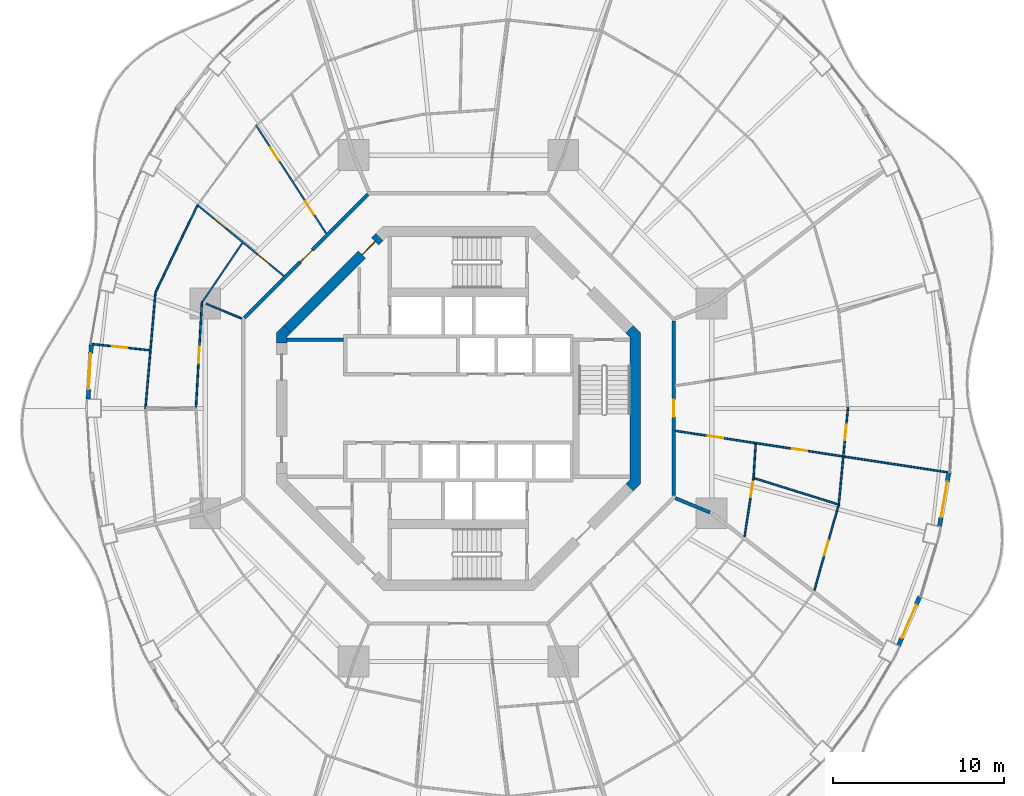
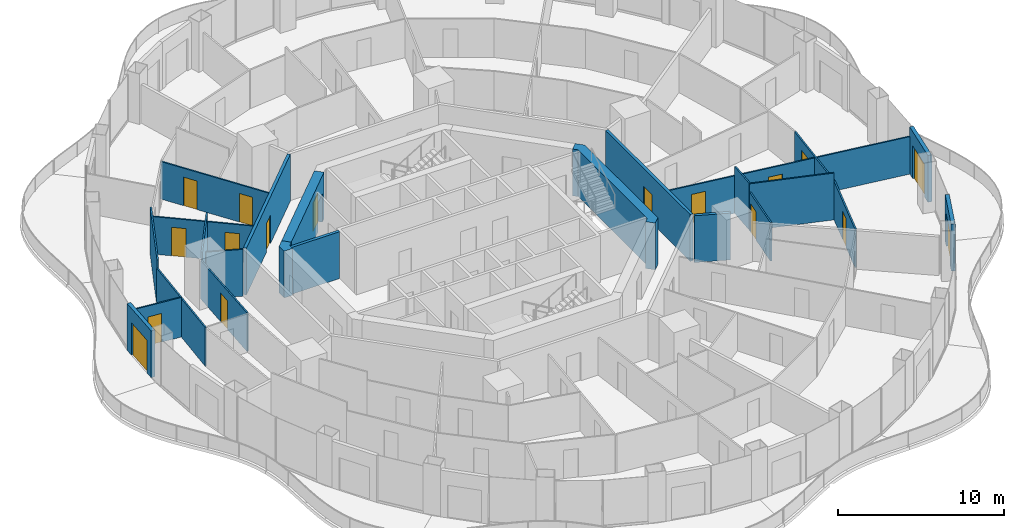
# One storey, part 13 of 19: 24 walls, 17 doors, 17 openings.
"""IFC4 building model written with IfcOpenShell, lengths in metres."""

from ifc_helpers import new_model, si_unit, direction, frame, frame_2d, origin, place, context, subcontext, project, spatial, polyline, rectangle, outline, extrude, material, layer, layer_set, type_object, element, fill, save


model = new_model("IFC4")

# Units and contexts
model_context = context("Model", 3, precision=1e-05, world=origin(), true_north=direction((0.0, 1.0)))
body_context = subcontext(model_context, "Body", "Model", "MODEL_VIEW")
ifc_project = project(units=[si_unit("LENGTHUNIT", "METRE"), si_unit("AREAUNIT", "SQUARE_METRE"), si_unit("VOLUMEUNIT", "CUBIC_METRE"), si_unit("PLANEANGLEUNIT", "RADIAN"), si_unit("MASSUNIT", "GRAM", prefix="KILO")], contexts=[model_context])

# Site, building, storey
site_placement = place(None, origin())
site = spatial("IfcSite", under=ifc_project, at=site_placement, CompositionType="ELEMENT")
building_placement = place(site_placement, origin())
building = spatial("IfcBuilding", under=site, at=building_placement, Name="Nagisa Residences", CompositionType="ELEMENT")
storey_placement = place(building_placement, frame((0.0, 0.0, 195.5)))
storey = spatial("IfcBuildingStorey", under=building, at=storey_placement, Name="L49", CompositionType="ELEMENT", Elevation=195.5)

# Wall
ifc_material_1 = material(Name="Gypsum board on steel studs", Category="steel")
ifc_layer_1 = layer(ifc_material_1, 0.199951171875)
ifc_layer_set_1 = layer_set([ifc_layer_1], Name="Apartment compartment wall EI60 200")
wall_type_1 = type_object("IfcWallType", Name="Apartment compartment wall EI60 200", PredefinedType="PARTITIONING", material=ifc_layer_set_1)
wall_1_placement = place(storey_placement, frame((12.6572265625, -5.24267578125, 0.0), z_axis=(0.0, 0.0, 1.0), x_axis=(0.92383017907, -0.382802560388, 0.0)))
element("IfcWall", 1, at=wall_1_placement, inside=storey, type_object=wall_type_1, Name="wall:L49:u08", PredefinedType="PARTITIONING", context=body_context, shape_type="SweptSolid", body=[
    extrude(rectangle(XDim=2.2001953125, YDim=0.199951171875, at=frame_2d((1.10009765625, 0.0))), origin(), (0.0, 0.0, 1.0), 3.43994140625),
])

# Wall, opening, door
ifc_material_2 = material(Name="Gypsum board on steel studs", Category="steel")
ifc_layer_2 = layer(ifc_material_2, 0.199951171875)
ifc_layer_set_2 = layer_set([ifc_layer_2], Name="Apartment entry wall EI60 200")
wall_type_2 = type_object("IfcWallType", Name="Apartment entry wall EI60 200", PredefinedType="PARTITIONING", material=ifc_layer_set_2)
wall_2_placement = place(storey_placement, frame((12.564697265625, -5.1044921875, 0.0), z_axis=(0.0, 0.0, 1.0), x_axis=(0.0, 1.0, 0.0)))
wall_2 = element("IfcWall", 2, at=wall_2_placement, inside=storey, type_object=wall_type_2, Name="wall:L49:u10", PredefinedType="PARTITIONING", context=body_context, shape_type="SweptSolid", body=[
    extrude(rectangle(XDim=10.208984375, YDim=0.199951171875, at=frame_2d((5.1044921875, 0.0))), origin(), (0.0, 0.0, 1.0), 3.43994140625),
])
opening_1_placement = place(wall_2_placement, frame((4.6044921875, 0.0, 0.0)))
opening_1 = element("IfcOpeningElement", 3, at=opening_1_placement, cuts=wall_2, Name="Opening L49-U22", PredefinedType="OPENING", context=body_context, shape_type="SweptSolid", body=[
    extrude(rectangle(XDim=1.0, YDim=2.10009765625, at=frame_2d((0.5, 1.050048828125))), frame((0.0, 0.10986328125, 0.0), z_axis=(0.0, -1.0, 0.0), x_axis=(1.0, 0.0, 0.0)), (0.0, 0.0, 1.0), 0.219970703125),
])
ifc_material_3 = material(Name="Timber fire door set", Category="wood")
door_type_1 = type_object("IfcDoorType", Name="Apartment entry door FD30S 1000x2100", OperationType="NOTDEFINED", PredefinedType="DOOR", material=ifc_material_3)
door_1_placement = place(opening_1_placement, frame((1.0, 0.0, 0.0), x_axis=(-1.0, 0.0, 0.0)))
door_1 = element("IfcDoor", 4, at=door_1_placement, inside=storey, type_object=door_type_1, Name="Entry door, Apartment 49C", OperationType="SINGLE_SWING_LEFT", OverallHeight=2.10009765625, OverallWidth=1.0, PredefinedType="DOOR", context=body_context, shape_type="SweptSolid", body=[
    extrude(rectangle(XDim=1.0, YDim=2.10009765625, at=frame_2d((0.5, 1.050048828125))), frame((0.0, 0.02490234375, 0.0), z_axis=(0.0, -1.0, 0.0), x_axis=(1.0, 0.0, 0.0)), (0.0, 0.0, 1.0), 0.050048828125),
])
fill(opening_1, door_1)

wall_3_placement = place(storey_placement, frame((-5.275146484375, 12.494140625, 0.0), z_axis=(0.0, 0.0, 1.0), x_axis=(-0.707106781187, -0.707106781187, 0.0)))
wall_3 = element("IfcWall", 5, at=wall_3_placement, inside=storey, type_object=wall_type_2, Name="wall:L49:u13", PredefinedType="PARTITIONING", context=body_context, shape_type="SweptSolid", body=[
    extrude(rectangle(XDim=10.209228515625, YDim=0.199951171875, at=frame_2d((5.1044921875, 0.0))), origin(), (0.0, 0.0, 1.0), 3.43994140625),
])
opening_2_placement = place(wall_3_placement, frame((4.6044921875, 0.0, 0.0)))
opening_2 = element("IfcOpeningElement", 6, at=opening_2_placement, cuts=wall_3, Name="Opening L49-U43", PredefinedType="OPENING", context=body_context, shape_type="SweptSolid", body=[
    extrude(rectangle(XDim=1.0, YDim=2.10009765625, at=frame_2d((0.5, 1.050048828125))), frame((0.0, 0.10986328125, 0.0), z_axis=(0.0, -1.0, 0.0), x_axis=(1.0, 0.0, 0.0)), (0.0, 0.0, 1.0), 0.219970703125),
])
door_2_placement = place(opening_2_placement, frame((1.0, 0.0, 0.0), x_axis=(-1.0, 0.0, 0.0)))
door_2 = element("IfcDoor", 7, at=door_2_placement, inside=storey, type_object=door_type_1, Name="Entry door, Apartment 49E", OperationType="SINGLE_SWING_RIGHT", OverallHeight=2.10009765625, OverallWidth=1.0, PredefinedType="DOOR", context=body_context, shape_type="SweptSolid", body=[
    extrude(rectangle(XDim=1.0, YDim=2.10009765625, at=frame_2d((0.5, 1.050048828125))), frame((0.0, 0.02490234375, 0.0), z_axis=(0.0, -1.0, 0.0), x_axis=(1.0, 0.0, 0.0)), (0.0, 0.0, 1.0), 0.050048828125),
])
fill(opening_2, door_2)

ifc_material_4 = material(Name="Gypsum board on steel studs", Category="steel")
ifc_layer_3 = layer(ifc_material_4, 0.10009765625)
ifc_layer_set_3 = layer_set([ifc_layer_3], Name="Apartment partition 100")
wall_type_3 = type_object("IfcWallType", Name="Apartment partition 100", PredefinedType="PARTITIONING", material=ifc_layer_set_3)
wall_4_placement = place(storey_placement, frame((22.743896484375, 0.0498046875, 0.0), z_axis=(0.0, 0.0, 1.0), x_axis=(-0.094931362305, -0.995483820286, 0.0)))
wall_4 = element("IfcWall", 8, at=wall_4_placement, inside=storey, type_object=wall_type_3, Name="wall:L49:u19", PredefinedType="PARTITIONING", context=body_context, shape_type="SweptSolid", body=[
    extrude(rectangle(XDim=5.747802734375, YDim=0.10009765625, at=frame_2d((2.8740234375, 0.0))), origin(), (0.0, 0.0, 1.0), 2.8369140625),
])
opening_3_placement = place(wall_4_placement, frame((1.011962890625, 0.0, 0.0)))
opening_3 = element("IfcOpeningElement", 9, at=opening_3_placement, cuts=wall_4, Name="Opening L49-U29", PredefinedType="OPENING", context=body_context, shape_type="SweptSolid", body=[
    extrude(rectangle(XDim=0.89990234375, YDim=2.10009765625, at=frame_2d((0.449951171875, 1.050048828125))), frame((0.0, 0.06005859375, 0.0), z_axis=(0.0, -1.0, 0.0), x_axis=(1.0, 0.0, 0.0)), (0.0, 0.0, 1.0), 0.1201171875),
])
ifc_material_5 = material(Name="Timber door set", Category="wood")
door_type_2 = type_object("IfcDoorType", Name="Apartment door 900x2100", OperationType="NOTDEFINED", PredefinedType="DOOR", material=ifc_material_5)
door_3_placement = place(opening_3_placement, origin())
door_3 = element("IfcDoor", 10, at=door_3_placement, inside=storey, type_object=door_type_2, Name="Door to family room, Apartment 49C", OperationType="SINGLE_SWING_LEFT", OverallHeight=2.10009765625, OverallWidth=0.89990234375, PredefinedType="DOOR", context=body_context, shape_type="SweptSolid", body=[
    extrude(rectangle(XDim=0.89990234375, YDim=2.10009765625, at=frame_2d((0.449951171875, 1.050048828125))), frame((0.0, 0.02490234375, 0.0), z_axis=(0.0, -1.0, 0.0), x_axis=(1.0, 0.0, 0.0)), (0.0, 0.0, 1.0), 0.050048828125),
])
fill(opening_3, door_3)

# Wall, openings, doors
wall_5_placement = place(storey_placement, frame((-7.71240234375, 10.1953125, 0.0), z_axis=(0.0, 0.0, 1.0), x_axis=(-0.544179442551, 0.838968851809, 0.0)))
wall_5 = element("IfcWall", 11, at=wall_5_placement, inside=storey, type_object=wall_type_3, Name="wall:L49:u45", PredefinedType="PARTITIONING", context=body_context, shape_type="SweptSolid", body=[
    extrude(rectangle(XDim=7.56640625, YDim=0.10009765625, at=frame_2d((3.783203125, 0.0))), origin(), (0.0, 0.0, 1.0), 2.756103515625),
])
opening_4_placement = place(wall_5_placement, frame((1.3427734375, 0.0, 0.0)))
opening_4 = element("IfcOpeningElement", 12, at=opening_4_placement, cuts=wall_5, Name="Opening L49-U44", PredefinedType="OPENING", context=body_context, shape_type="SweptSolid", body=[
    extrude(rectangle(XDim=0.89990234375, YDim=2.10009765625, at=frame_2d((0.449951171875, 1.050048828125))), frame((0.0, 0.06005859375, 0.0), z_axis=(0.0, -1.0, 0.0), x_axis=(1.0, 0.0, 0.0)), (0.0, 0.0, 1.0), 0.1201171875),
])
opening_5_placement = place(wall_5_placement, frame((5.100830078125, 0.0, 0.0)))
opening_5 = element("IfcOpeningElement", 13, at=opening_5_placement, cuts=wall_5, Name="Opening L49-U46", PredefinedType="OPENING", context=body_context, shape_type="SweptSolid", body=[
    extrude(rectangle(XDim=0.89990234375, YDim=2.10009765625, at=frame_2d((0.449951171875, 1.050048828125))), frame((0.0, 0.06005859375, 0.0), z_axis=(0.0, -1.0, 0.0), x_axis=(1.0, 0.0, 0.0)), (0.0, 0.0, 1.0), 0.1201171875),
])
door_4_placement = place(opening_4_placement, frame((0.89990234375, 0.0, 0.0), x_axis=(-1.0, 0.0, 0.0)))
door_4 = element("IfcDoor", 14, at=door_4_placement, inside=storey, type_object=door_type_2, Name="Door to family bathroom, Apartment 49E", OperationType="SINGLE_SWING_LEFT", OverallHeight=2.10009765625, OverallWidth=0.89990234375, PredefinedType="DOOR", context=body_context, shape_type="SweptSolid", body=[
    extrude(rectangle(XDim=0.89990234375, YDim=2.10009765625, at=frame_2d((0.449951171875, 1.050048828125))), frame((0.0, 0.02490234375, 0.0), z_axis=(0.0, -1.0, 0.0), x_axis=(1.0, 0.0, 0.0)), (0.0, 0.0, 1.0), 0.050048828125),
])
fill(opening_4, door_4)
door_5_placement = place(opening_5_placement, frame((0.89990234375, 0.0, 0.0), x_axis=(-1.0, 0.0, 0.0)))
door_5 = element("IfcDoor", 15, at=door_5_placement, inside=storey, type_object=door_type_2, Name="Door to family bathroom, Apartment 49E", OperationType="SINGLE_SWING_LEFT", OverallHeight=2.10009765625, OverallWidth=0.89990234375, PredefinedType="DOOR", context=body_context, shape_type="SweptSolid", body=[
    extrude(rectangle(XDim=0.89990234375, YDim=2.10009765625, at=frame_2d((0.449951171875, 1.050048828125))), frame((0.0, 0.02490234375, 0.0), z_axis=(0.0, -1.0, 0.0), x_axis=(1.0, 0.0, 0.0)), (0.0, 0.0, 1.0), 0.050048828125),
])
fill(opening_5, door_5)

wall_6_placement = place(storey_placement, frame((-10.188720703125, 7.721435546875, 0.0), z_axis=(0.0, 0.0, 1.0), x_axis=(-0.773121441079, 0.634258021112, 0.0)))
wall_6 = element("IfcWall", 16, at=wall_6_placement, inside=storey, type_object=wall_type_3, Name="wall:L49:u48", PredefinedType="PARTITIONING", context=body_context, shape_type="SweptSolid", body=[
    extrude(rectangle(XDim=6.5771484375, YDim=0.10009765625, at=frame_2d((3.28857421875, 0.0))), origin(), (0.0, 0.0, 1.0), 2.756103515625),
])
opening_6_placement = place(wall_6_placement, frame((1.103515625, 0.0, 0.0)))
opening_6 = element("IfcOpeningElement", 17, at=opening_6_placement, cuts=wall_6, Name="Opening L49-U45", PredefinedType="OPENING", context=body_context, shape_type="SweptSolid", body=[
    extrude(rectangle(XDim=0.89990234375, YDim=2.10009765625, at=frame_2d((0.449951171875, 1.050048828125))), frame((0.0, 0.06005859375, 0.0), z_axis=(0.0, -1.0, 0.0), x_axis=(1.0, 0.0, 0.0)), (0.0, 0.0, 1.0), 0.1201171875),
])
opening_7_placement = place(wall_6_placement, frame((4.366943359375, 0.0, 0.0)))
opening_7 = element("IfcOpeningElement", 18, at=opening_7_placement, cuts=wall_6, Name="Opening L49-U47", PredefinedType="OPENING", context=body_context, shape_type="SweptSolid", body=[
    extrude(rectangle(XDim=0.89990234375, YDim=2.10009765625, at=frame_2d((0.449951171875, 1.050048828125))), frame((0.0, 0.06005859375, 0.0), z_axis=(0.0, -1.0, 0.0), x_axis=(1.0, 0.0, 0.0)), (0.0, 0.0, 1.0), 0.1201171875),
])
door_6_placement = place(opening_6_placement, origin())
door_6 = element("IfcDoor", 19, at=door_6_placement, inside=storey, type_object=door_type_2, Name="Door to family bathroom, Apartment 49E", OperationType="SINGLE_SWING_LEFT", OverallHeight=2.10009765625, OverallWidth=0.89990234375, PredefinedType="DOOR", context=body_context, shape_type="SweptSolid", body=[
    extrude(rectangle(XDim=0.89990234375, YDim=2.10009765625, at=frame_2d((0.449951171875, 1.050048828125))), frame((0.0, 0.02490234375, 0.0), z_axis=(0.0, -1.0, 0.0), x_axis=(1.0, 0.0, 0.0)), (0.0, 0.0, 1.0), 0.050048828125),
])
fill(opening_6, door_6)
door_7_placement = place(opening_7_placement, origin())
door_7 = element("IfcDoor", 20, at=door_7_placement, inside=storey, type_object=door_type_2, Name="Door to kitchen, Apartment 49E", OperationType="SINGLE_SWING_LEFT", OverallHeight=2.10009765625, OverallWidth=0.89990234375, PredefinedType="DOOR", context=body_context, shape_type="SweptSolid", body=[
    extrude(rectangle(XDim=0.89990234375, YDim=2.10009765625, at=frame_2d((0.449951171875, 1.050048828125))), frame((0.0, 0.02490234375, 0.0), z_axis=(0.0, -1.0, 0.0), x_axis=(1.0, 0.0, 0.0)), (0.0, 0.0, 1.0), 0.050048828125),
])
fill(opening_7, door_7)

# Walls
wall_7_placement = place(storey_placement, frame((-12.61865234375, 9.650390625, 0.0), z_axis=(0.0, 0.0, 1.0), x_axis=(-0.561064907171, -0.827771810308, 0.0)))
element("IfcWall", 21, at=wall_7_placement, inside=storey, type_object=wall_type_3, Name="wall:L49:u49", PredefinedType="PARTITIONING", context=body_context, shape_type="SweptSolid", body=[
    extrude(rectangle(XDim=4.15869140625, YDim=0.10009765625, at=frame_2d((2.079345703125, 0.0))), origin(), (0.0, 0.0, 1.0), 3.43994140625),
])
wall_8_placement = place(storey_placement, frame((-15.2568359375, 11.816162109375, 0.0), z_axis=(0.0, 0.0, 1.0), x_axis=(-0.434040130629, -0.900893536997, 0.0)))
element("IfcWall", 22, at=wall_8_placement, inside=storey, type_object=wall_type_3, Name="wall:L49:u50", PredefinedType="PARTITIONING", context=body_context, shape_type="SweptSolid", body=[
    extrude(rectangle(XDim=5.557861328125, YDim=0.10009765625, at=frame_2d((2.77880859375, 0.0))), origin(), (0.0, 0.0, 1.0), 3.43994140625),
])
wall_9_placement = place(storey_placement, frame((-12.6572265625, 5.24267578125, 0.0), z_axis=(0.0, 0.0, 1.0), x_axis=(-0.923864733477, 0.382719158442, 0.0)))
element("IfcWall", 23, at=wall_9_placement, inside=storey, type_object=wall_type_3, Name="wall:L49:u51", PredefinedType="PARTITIONING", context=body_context, shape_type="SweptSolid", body=[
    extrude(rectangle(XDim=2.25, YDim=0.10009765625, at=frame_2d((1.125, 0.0))), origin(), (0.0, 0.0, 1.0), 3.43994140625),
])

# Wall, opening, door
wall_10_placement = place(storey_placement, frame((-14.97705078125, 6.216552734375, 0.0), z_axis=(0.0, 0.0, 1.0), x_axis=(-0.056325971574, -0.998412432277, 0.0)))
wall_10 = element("IfcWall", 24, at=wall_10_placement, inside=storey, type_object=wall_type_3, Name="wall:L49:u52", PredefinedType="PARTITIONING", context=body_context, shape_type="SweptSolid", body=[
    extrude(rectangle(XDim=6.176513671875, YDim=0.10009765625, at=frame_2d((3.08837890625, 0.0))), origin(), (0.0, 0.0, 1.0), 2.8369140625),
])
opening_8_placement = place(wall_10_placement, frame((2.6630859375, 0.0, 0.0)))
opening_8 = element("IfcOpeningElement", 25, at=opening_8_placement, cuts=wall_10, Name="Opening L49-U52", PredefinedType="OPENING", context=body_context, shape_type="SweptSolid", body=[
    extrude(rectangle(XDim=0.89990234375, YDim=2.10009765625, at=frame_2d((0.449951171875, 1.050048828125))), frame((0.0, 0.06005859375, 0.0), z_axis=(0.0, -1.0, 0.0), x_axis=(1.0, 0.0, 0.0)), (0.0, 0.0, 1.0), 0.1201171875),
])
door_8_placement = place(opening_8_placement, origin())
door_8 = element("IfcDoor", 26, at=door_8_placement, inside=storey, type_object=door_type_2, Name="Door to store, Apartment 49E", OperationType="SINGLE_SWING_RIGHT", OverallHeight=2.10009765625, OverallWidth=0.89990234375, PredefinedType="DOOR", context=body_context, shape_type="SweptSolid", body=[
    extrude(rectangle(XDim=0.89990234375, YDim=2.10009765625, at=frame_2d((0.449951171875, 1.050048828125))), frame((0.0, 0.02490234375, 0.0), z_axis=(0.0, -1.0, 0.0), x_axis=(1.0, 0.0, 0.0)), (0.0, 0.0, 1.0), 0.050048828125),
])
fill(opening_8, door_8)

# Wall
wall_11_placement = place(storey_placement, frame((-17.686767578125, 6.813720703125, 0.0), z_axis=(0.0, 0.0, 1.0), x_axis=(-0.086010249709, -0.996294252189, 0.0)))
element("IfcWall", 27, at=wall_11_placement, inside=storey, type_object=wall_type_3, Name="wall:L49:u53", PredefinedType="PARTITIONING", context=body_context, shape_type="SweptSolid", body=[
    extrude(rectangle(XDim=6.88916015625, YDim=0.10009765625, at=frame_2d((3.444580078125, 0.0))), origin(), (0.0, 0.0, 1.0), 2.8369140625),
])

# Wall, opening, door
wall_12_placement = place(storey_placement, frame((-18.03271484375, 3.387451171875, 0.0), z_axis=(0.0, 0.0, 1.0), x_axis=(-0.994194772207, 0.107595329438, 0.0)))
wall_12 = element("IfcWall", 28, at=wall_12_placement, inside=storey, type_object=wall_type_3, Name="wall:L49:u54", PredefinedType="PARTITIONING", context=body_context, shape_type="SweptSolid", body=[
    extrude(rectangle(XDim=3.505615234375, YDim=0.10009765625, at=frame_2d((1.7529296875, 0.0))), origin(), (0.0, 0.0, 1.0), 2.905029296875),
])
opening_9_placement = place(wall_12_placement, frame((1.302978515625, 0.0, 0.0)))
opening_9 = element("IfcOpeningElement", 29, at=opening_9_placement, cuts=wall_12, Name="Opening L49-U51", PredefinedType="OPENING", context=body_context, shape_type="SweptSolid", body=[
    extrude(rectangle(XDim=0.89990234375, YDim=2.10009765625, at=frame_2d((0.449951171875, 1.050048828125))), frame((0.0, 0.06005859375, 0.0), z_axis=(0.0, -1.0, 0.0), x_axis=(1.0, 0.0, 0.0)), (0.0, 0.0, 1.0), 0.1201171875),
])
door_9_placement = place(opening_9_placement, origin())
door_9 = element("IfcDoor", 30, at=door_9_placement, inside=storey, type_object=door_type_2, Name="Door to bedroom, Apartment 49E", OperationType="SINGLE_SWING_LEFT", OverallHeight=2.10009765625, OverallWidth=0.89990234375, PredefinedType="DOOR", context=body_context, shape_type="SweptSolid", body=[
    extrude(rectangle(XDim=0.89990234375, YDim=2.10009765625, at=frame_2d((0.449951171875, 1.050048828125))), frame((0.0, 0.02490234375, 0.0), z_axis=(0.0, -1.0, 0.0), x_axis=(1.0, 0.0, 0.0)), (0.0, 0.0, 1.0), 0.050048828125),
])
fill(opening_9, door_9)

wall_13_placement = place(storey_placement, frame((16.704345703125, -7.4931640625, 0.0), z_axis=(0.0, 0.0, 1.0), x_axis=(0.1510806336, 0.988521442434, 0.0)))
wall_13 = element("IfcWall", 31, at=wall_13_placement, inside=storey, type_object=wall_type_3, Name="wall:L49:u84", PredefinedType="PARTITIONING", context=body_context, shape_type="SweptSolid", body=[
    extrude(rectangle(XDim=3.41943359375, YDim=0.10009765625, at=frame_2d((1.709716796875, 0.0))), origin(), (0.0, 0.0, 1.0), 2.8369140625),
])
opening_10_placement = place(wall_13_placement, frame((2.33935546875, 0.0, 0.0)))
opening_10 = element("IfcOpeningElement", 32, at=opening_10_placement, cuts=wall_13, Name="Opening L49-U25", PredefinedType="OPENING", context=body_context, shape_type="SweptSolid", body=[
    extrude(rectangle(XDim=0.89990234375, YDim=2.10009765625, at=frame_2d((0.449951171875, 1.050048828125))), frame((0.0, 0.06005859375, 0.0), z_axis=(0.0, -1.0, 0.0), x_axis=(1.0, 0.0, 0.0)), (0.0, 0.0, 1.0), 0.1201171875),
])
door_10_placement = place(opening_10_placement, frame((0.89990234375, 0.0, 0.0), x_axis=(-1.0, 0.0, 0.0)))
door_10 = element("IfcDoor", 33, at=door_10_placement, inside=storey, type_object=door_type_2, Name="Door to study, Apartment 49C", OperationType="SINGLE_SWING_RIGHT", OverallHeight=2.10009765625, OverallWidth=0.89990234375, PredefinedType="DOOR", context=body_context, shape_type="SweptSolid", body=[
    extrude(rectangle(XDim=0.89990234375, YDim=2.10009765625, at=frame_2d((0.449951171875, 1.050048828125))), frame((0.0, 0.02490234375, 0.0), z_axis=(0.0, -1.0, 0.0), x_axis=(1.0, 0.0, 0.0)), (0.0, 0.0, 1.0), 0.050048828125),
])
fill(opening_10, door_10)

wall_14_placement = place(storey_placement, frame((20.77880859375, -10.625244140625, 0.0), z_axis=(0.0, 0.0, 1.0), x_axis=(0.273819702124, 0.961781040949, 0.0)))
wall_14 = element("IfcWall", 34, at=wall_14_placement, inside=storey, type_object=wall_type_3, Name="wall:L49:u85", PredefinedType="PARTITIONING", context=body_context, shape_type="SweptSolid", body=[
    extrude(rectangle(XDim=5.151611328125, YDim=0.10009765625, at=frame_2d((2.57568359375, 0.0))), origin(), (0.0, 0.0, 1.0), 2.8369140625),
])
opening_11_placement = place(wall_14_placement, frame((2.125732421875, 0.0, 0.0)))
opening_11 = element("IfcOpeningElement", 35, at=opening_11_placement, cuts=wall_14, Name="Opening L49-U28", PredefinedType="OPENING", context=body_context, shape_type="SweptSolid", body=[
    extrude(rectangle(XDim=0.89990234375, YDim=2.10009765625, at=frame_2d((0.449951171875, 1.050048828125))), frame((0.0, 0.06005859375, 0.0), z_axis=(0.0, -1.0, 0.0), x_axis=(1.0, 0.0, 0.0)), (0.0, 0.0, 1.0), 0.1201171875),
])
door_11_placement = place(opening_11_placement, frame((0.89990234375, 0.0, 0.0), x_axis=(-1.0, 0.0, 0.0)))
door_11 = element("IfcDoor", 36, at=door_11_placement, inside=storey, type_object=door_type_2, Name="Door to master bedroom, Apartment 49C", OperationType="SINGLE_SWING_LEFT", OverallHeight=2.10009765625, OverallWidth=0.89990234375, PredefinedType="DOOR", context=body_context, shape_type="SweptSolid", body=[
    extrude(rectangle(XDim=0.89990234375, YDim=2.10009765625, at=frame_2d((0.449951171875, 1.050048828125))), frame((0.0, 0.02490234375, 0.0), z_axis=(0.0, -1.0, 0.0), x_axis=(1.0, 0.0, 0.0)), (0.0, 0.0, 1.0), 0.050048828125),
])
fill(opening_11, door_11)

# Walls
wall_15_placement = place(storey_placement, frame((17.1806640625, -4.048583984375, 0.0), z_axis=(0.0, 0.0, 1.0), x_axis=(0.954246359918, -0.299021545351, 0.0)))
element("IfcWall", 37, at=wall_15_placement, inside=storey, type_object=wall_type_3, Name="wall:L49:u86", PredefinedType="PARTITIONING", context=body_context, shape_type="SweptSolid", body=[
    extrude(rectangle(XDim=5.213134765625, YDim=0.10009765625, at=frame_2d((2.6064453125, 0.0))), origin(), (0.0, 0.0, 1.0), 3.43994140625),
])
wall_16_placement = place(storey_placement, frame((17.231689453125, -4.013671875, 0.0), z_axis=(0.0, 0.0, 1.0), x_axis=(0.063689464349, 0.997969765139, 0.0)))
element("IfcWall", 38, at=wall_16_placement, inside=storey, type_object=wall_type_3, Name="wall:L49:u87", PredefinedType="PARTITIONING", context=body_context, shape_type="SweptSolid", body=[
    extrude(rectangle(XDim=1.935791015625, YDim=0.10009765625, at=frame_2d((0.9677734375, 0.0))), origin(), (0.0, 0.0, 1.0), 3.43994140625),
])

# Wall, openings, doors
wall_17_placement = place(storey_placement, frame((12.66357421875, -1.316162109375, 0.0), z_axis=(0.0, 0.0, 1.0), x_axis=(0.988585177081, -0.150663026836, 0.0)))
wall_17 = element("IfcWall", 39, at=wall_17_placement, inside=storey, type_object=wall_type_3, Name="wall:L49:u88", PredefinedType="PARTITIONING", context=body_context, shape_type="SweptSolid", body=[
    extrude(rectangle(XDim=16.239990234375, YDim=0.10009765625, at=frame_2d((8.1201171875, 0.0))), origin(), (0.0, 0.0, 1.0), 2.756103515625),
])
opening_12_placement = place(wall_17_placement, frame((1.92431640625, 0.0, 0.0)))
opening_12 = element("IfcOpeningElement", 40, at=opening_12_placement, cuts=wall_17, Name="Opening L49-U23", PredefinedType="OPENING", context=body_context, shape_type="SweptSolid", body=[
    extrude(rectangle(XDim=0.89990234375, YDim=2.10009765625, at=frame_2d((0.449951171875, 1.050048828125))), frame((0.0, 0.06005859375, 0.0), z_axis=(0.0, -1.0, 0.0), x_axis=(1.0, 0.0, 0.0)), (0.0, 0.0, 1.0), 0.1201171875),
])
opening_13_placement = place(wall_17_placement, frame((6.884765625, 0.0, 0.0)))
opening_13 = element("IfcOpeningElement", 41, at=opening_13_placement, cuts=wall_17, Name="Opening L49-U26", PredefinedType="OPENING", context=body_context, shape_type="SweptSolid", body=[
    extrude(rectangle(XDim=0.89990234375, YDim=2.10009765625, at=frame_2d((0.449951171875, 1.050048828125))), frame((0.0, 0.06005859375, 0.0), z_axis=(0.0, -1.0, 0.0), x_axis=(1.0, 0.0, 0.0)), (0.0, 0.0, 1.0), 0.1201171875),
])
door_12_placement = place(opening_12_placement, frame((0.89990234375, 0.0, 0.0), x_axis=(-1.0, 0.0, 0.0)))
door_12 = element("IfcDoor", 42, at=door_12_placement, inside=storey, type_object=door_type_2, Name="Door to store, Apartment 49C", OperationType="SINGLE_SWING_RIGHT", OverallHeight=2.10009765625, OverallWidth=0.89990234375, PredefinedType="DOOR", context=body_context, shape_type="SweptSolid", body=[
    extrude(rectangle(XDim=0.89990234375, YDim=2.10009765625, at=frame_2d((0.449951171875, 1.050048828125))), frame((0.0, 0.02490234375, 0.0), z_axis=(0.0, -1.0, 0.0), x_axis=(1.0, 0.0, 0.0)), (0.0, 0.0, 1.0), 0.050048828125),
])
fill(opening_12, door_12)
door_13_placement = place(opening_13_placement, frame((0.89990234375, 0.0, 0.0), x_axis=(-1.0, 0.0, 0.0)))
door_13 = element("IfcDoor", 43, at=door_13_placement, inside=storey, type_object=door_type_2, Name="Door to family bathroom, Apartment 49C", OperationType="SINGLE_SWING_LEFT", OverallHeight=2.10009765625, OverallWidth=0.89990234375, PredefinedType="DOOR", context=body_context, shape_type="SweptSolid", body=[
    extrude(rectangle(XDim=0.89990234375, YDim=2.10009765625, at=frame_2d((0.449951171875, 1.050048828125))), frame((0.0, 0.02490234375, 0.0), z_axis=(0.0, -1.0, 0.0), x_axis=(1.0, 0.0, 0.0)), (0.0, 0.0, 1.0), 0.050048828125),
])
fill(opening_13, door_13)

# Wall, opening, door
ifc_material_6 = material(Name="Precast concrete C40/50", Category="concrete")
ifc_layer_4 = layer(ifc_material_6, 0.25)
ifc_layer_set_4 = layer_set([ifc_layer_4], Name="BALCONY DOOR WALL 250")
wall_type_4 = type_object("IfcWallType", Name="BALCONY DOOR WALL 250", PredefinedType="SOLIDWALL", material=ifc_layer_set_4)
wall_18_placement = place(storey_placement, frame((-21.61865234375, 0.5419921875, 0.0), z_axis=(0.0, 0.0, 1.0), x_axis=(0.057532692854, 0.998343622834, 0.0)))
wall_18 = element("IfcWall", 44, at=wall_18_placement, inside=storey, type_object=wall_type_4, Name="wall:L49:bay23", PredefinedType="SOLIDWALL", context=body_context, shape_type="SweptSolid", body=[
    extrude(rectangle(XDim=3.22509765625, YDim=0.25, at=frame_2d((1.612548828125, 0.0))), origin(), (0.0, 0.0, 1.0), 3.43994140625),
])
opening_14_placement = place(wall_18_placement, frame((0.5625, 0.0, 0.0)))
opening_14 = element("IfcOpeningElement", 45, at=opening_14_placement, cuts=wall_18, Name="Opening BD-L49-08", PredefinedType="OPENING", context=body_context, shape_type="SweptSolid", body=[
    extrude(rectangle(XDim=2.10009765625, YDim=2.39990234375, at=frame_2d((1.050048828125, 1.199951171875))), frame((0.0, 0.135009765625, 0.0), z_axis=(0.0, -1.0, 0.0), x_axis=(1.0, 0.0, 0.0)), (0.0, 0.0, 1.0), 0.27001953125),
])
ifc_material_7 = material(Name="Aluminium and clear glass", Category="aluminium")
door_type_3 = type_object("IfcDoorType", Name="BALCONY SLIDING DOOR 2100x2400", OperationType="SLIDING_TO_LEFT", PredefinedType="DOOR", material=ifc_material_7)
door_14_placement = place(opening_14_placement, origin())
door_14 = element("IfcDoor", 46, at=door_14_placement, inside=storey, type_object=door_type_3, Name="door:L49:bay23", OperationType="SLIDING_TO_LEFT", OverallHeight=2.39990234375, OverallWidth=2.10009765625, PredefinedType="DOOR", context=body_context, shape_type="SweptSolid", body=[
    extrude(rectangle(XDim=2.10009765625, YDim=2.39990234375, at=frame_2d((1.050048828125, 1.199951171875))), frame((0.0, 0.02490234375, 0.0), z_axis=(0.0, -1.0, 0.0), x_axis=(1.0, 0.0, 0.0)), (0.0, 0.0, 1.0), 0.050048828125),
])
fill(opening_14, door_14)

wall_19_placement = place(storey_placement, frame((26.9287109375, -11.000244140625, 0.0), z_axis=(0.0, 0.0, 1.0), x_axis=(-0.397620521824, -0.917549955384, 0.0)))
wall_19 = element("IfcWall", 47, at=wall_19_placement, inside=storey, type_object=wall_type_4, Name="wall:L49:bay44", PredefinedType="SOLIDWALL", context=body_context, shape_type="SweptSolid", body=[
    extrude(rectangle(XDim=3.141845703125, YDim=0.25, at=frame_2d((1.57080078125, 0.0))), origin(), (0.0, 0.0, 1.0), 3.43994140625),
])
opening_15_placement = place(wall_19_placement, frame((0.52099609375, 0.0, 0.0)))
opening_15 = element("IfcOpeningElement", 48, at=opening_15_placement, cuts=wall_19, Name="Opening BD-L49-15", PredefinedType="OPENING", context=body_context, shape_type="SweptSolid", body=[
    extrude(rectangle(XDim=2.10009765625, YDim=2.39990234375, at=frame_2d((1.050048828125, 1.199951171875))), frame((0.0, 0.135009765625, 0.0), z_axis=(0.0, -1.0, 0.0), x_axis=(1.0, 0.0, 0.0)), (0.0, 0.0, 1.0), 0.27001953125),
])
door_15_placement = place(opening_15_placement, origin())
door_15 = element("IfcDoor", 49, at=door_15_placement, inside=storey, type_object=door_type_3, Name="door:L49:bay44", OperationType="SLIDING_TO_LEFT", OverallHeight=2.39990234375, OverallWidth=2.10009765625, PredefinedType="DOOR", context=body_context, shape_type="SweptSolid", body=[
    extrude(rectangle(XDim=2.10009765625, YDim=2.39990234375, at=frame_2d((1.050048828125, 1.199951171875))), frame((0.0, 0.02490234375, 0.0), z_axis=(0.0, -1.0, 0.0), x_axis=(1.0, 0.0, 0.0)), (0.0, 0.0, 1.0), 0.050048828125),
])
fill(opening_15, door_15)

wall_20_placement = place(storey_placement, frame((28.634765625, -3.747314453125, 0.0), z_axis=(0.0, 0.0, 1.0), x_axis=(-0.172149769468, -0.985070787747, 0.0)))
wall_20 = element("IfcWall", 50, at=wall_20_placement, inside=storey, type_object=wall_type_4, Name="wall:L49:bay46", PredefinedType="SOLIDWALL", context=body_context, shape_type="SweptSolid", body=[
    extrude(rectangle(XDim=3.210693359375, YDim=0.25, at=frame_2d((1.60546875, 0.0))), origin(), (0.0, 0.0, 1.0), 3.43994140625),
])
opening_16_placement = place(wall_20_placement, frame((0.555419921875, 0.0, 0.0)))
opening_16 = element("IfcOpeningElement", 51, at=opening_16_placement, cuts=wall_20, Name="Opening BD-L49-16", PredefinedType="OPENING", context=body_context, shape_type="SweptSolid", body=[
    extrude(rectangle(XDim=2.10009765625, YDim=2.39990234375, at=frame_2d((1.050048828125, 1.199951171875))), frame((0.0, 0.135009765625, 0.0), z_axis=(0.0, -1.0, 0.0), x_axis=(1.0, 0.0, 0.0)), (0.0, 0.0, 1.0), 0.27001953125),
])
door_16_placement = place(opening_16_placement, origin())
door_16 = element("IfcDoor", 52, at=door_16_placement, inside=storey, type_object=door_type_3, Name="door:L49:bay46", OperationType="SLIDING_TO_LEFT", OverallHeight=2.39990234375, OverallWidth=2.10009765625, PredefinedType="DOOR", context=body_context, shape_type="SweptSolid", body=[
    extrude(rectangle(XDim=2.10009765625, YDim=2.39990234375, at=frame_2d((1.050048828125, 1.199951171875))), frame((0.0, 0.02490234375, 0.0), z_axis=(0.0, -1.0, 0.0), x_axis=(1.0, 0.0, 0.0)), (0.0, 0.0, 1.0), 0.050048828125),
])
fill(opening_16, door_16)

# Wall
ifc_material_8 = material(Name="Gypsum board on steel studs", Category="steel")
ifc_layer_5 = layer(ifc_material_8, 0.199951171875)
ifc_layer_set_5 = layer_set([ifc_layer_5], Name="Core partition 200")
wall_type_5 = type_object("IfcWallType", Name="Core partition 200", PredefinedType="PARTITIONING", material=ifc_layer_set_5)
wall_21_placement = place(storey_placement, frame((-10.024658203125, 4.0, 0.0), z_axis=(0.0, 0.0, 1.0), x_axis=(1.0, 0.0, 0.0)))
element("IfcWall", 53, at=wall_21_placement, inside=storey, type_object=wall_type_5, Name="wall:L49:PNW", PredefinedType="PARTITIONING", context=body_context, shape_type="SweptSolid", body=[
    extrude(rectangle(XDim=3.32470703125, YDim=0.199951171875, at=frame_2d((1.662353515625, 0.0))), origin(), (0.0, 0.0, 1.0), 3.43994140625),
])

# Wall, opening, door
ifc_material_9 = material(Name="Concrete C60", Category="concrete")
ifc_layer_6 = layer(ifc_material_9, 0.60009765625)
ifc_layer_set_6 = layer_set([ifc_layer_6], Name="Core shear wall 600")
wall_type_6 = type_object("IfcWallType", Name="Core shear wall 600", PredefinedType="SHEAR", material=ifc_layer_set_6)
wall_22_placement = place(storey_placement, frame((-4.613037109375, 9.98828125, 0.0), z_axis=(0.0, 0.0, 1.0), x_axis=(-0.707106781187, -0.707106781187, 0.0)))
wall_22 = element("IfcWall", 54, at=wall_22_placement, inside=storey, type_object=wall_type_6, Name="wall:L49:core:flat3", PredefinedType="SHEAR", context=body_context, shape_type="SweptSolid", body=[
    extrude(rectangle(XDim=7.601806640625, YDim=0.60009765625, at=frame_2d((3.80078125, 0.0))), origin(), (0.0, 0.0, 1.0), 3.43994140625),
])
opening_17_placement = place(wall_22_placement, frame((0.350830078125, 0.0, 0.0)))
opening_17 = element("IfcOpeningElement", 55, at=opening_17_placement, cuts=wall_22, Name="Opening L49-C22", PredefinedType="OPENING", context=body_context, shape_type="SweptSolid", body=[
    extrude(rectangle(XDim=1.10009765625, YDim=2.10009765625, at=frame_2d((0.550048828125, 1.050048828125))), frame((0.0, 0.31005859375, 0.0), z_axis=(0.0, -1.0, 0.0), x_axis=(1.0, 0.0, 0.0)), (0.0, 0.0, 1.0), 0.6201171875),
])
ifc_material_10 = material(Name="Steel fire door", Category="steel")
door_type_4 = type_object("IfcDoorType", Name="Fire door EI60 1100x2100 single swing", OperationType="NOTDEFINED", PredefinedType="DOOR", material=ifc_material_10)
door_17_placement = place(opening_17_placement, origin())
door_17 = element("IfcDoor", 56, at=door_17_placement, inside=storey, type_object=door_type_4, Name="Service lobby door L49", OperationType="SINGLE_SWING_RIGHT", OverallHeight=2.10009765625, OverallWidth=1.10009765625, PredefinedType="DOOR", context=body_context, shape_type="SweptSolid", body=[
    extrude(rectangle(XDim=1.10009765625, YDim=2.10009765625, at=frame_2d((0.550048828125, 1.050048828125))), frame((0.0, 0.02490234375, 0.0), z_axis=(0.0, -1.0, 0.0), x_axis=(1.0, 0.0, 0.0)), (0.0, 0.0, 1.0), 0.050048828125),
])
fill(opening_17, door_17)

# Walls
wall_23_placement = place(storey_placement, origin())
element("IfcWall", 57, at=wall_23_placement, inside=storey, type_object=wall_type_6, Name="wall:L49:core:pier3", PredefinedType="SHEAR", context=body_context, shape_type="SweptSolid", body=[
    extrude(outline(polyline([(-10.200439453125, 4.8251953125), (-9.776123046875, 4.40087890625), (-10.024658203125, 4.15234375), (-10.024658203125, 3.80078125), (-10.62451171875, 3.80078125), (-10.62451171875, 4.40087890625), (-10.200439453125, 4.8251953125)])), origin(), (0.0, 0.0, 1.0), 3.43994140625),
])
wall_24_placement = place(storey_placement, origin())
element("IfcWall", 58, at=wall_24_placement, inside=storey, type_object=wall_type_6, Name="wall:L49:core:flat0", PredefinedType="SHEAR", context=body_context, shape_type="SweptSolid", body=[
    extrude(outline(polyline([(9.776123046875, -4.40087890625), (10.024658203125, -4.15234375), (10.024658203125, -3.801025390625), (10.024658203125, 4.15234375), (9.776123046875, 4.40087890625), (10.200439453125, 4.8251953125), (10.62451171875, 4.40087890625), (10.62451171875, -4.40087890625), (10.200439453125, -4.8251953125), (9.776123046875, -4.40087890625)])), origin(), (0.0, 0.0, 1.0), 3.43994140625),
])

save(model, "model.ifc")
